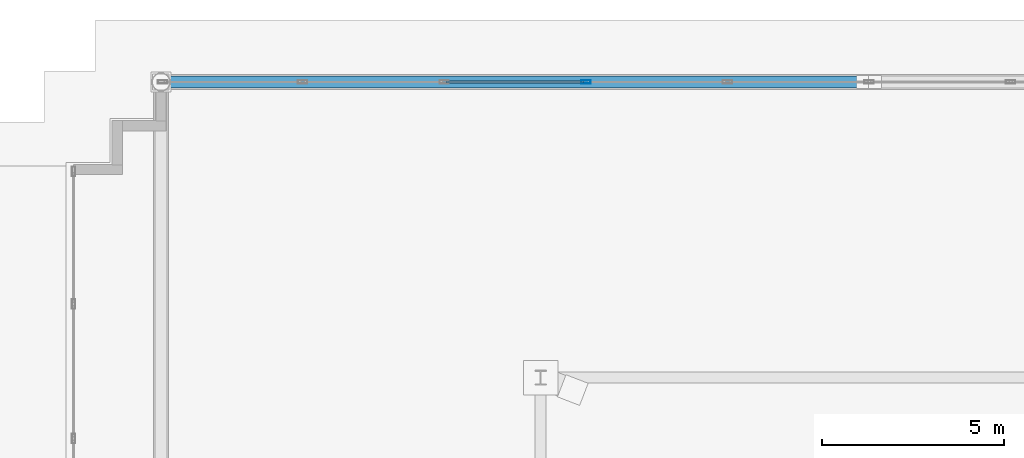
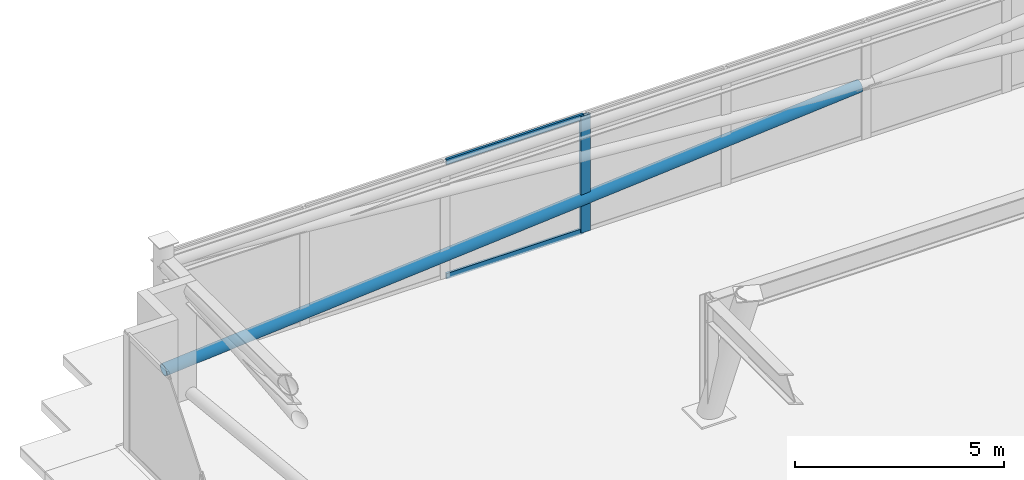
# One storey, part 10 of 23: 4 members, 1 element without a shape of its own.
"""IFC4 building model written with IfcOpenShell, lengths in metres."""

from ifc_helpers import new_model, si_unit, direction, frame, origin, origin_2d, place, context, subcontext, project, spatial, hollow_rectangle, hollow_circle, extrude, material, layer, layer_set, material_profile, profile_set, type_object, element, aggregate, save


model = new_model("IFC4")

# Units and contexts
model_context = context("Model", 3, precision=1e-05, world=origin(), true_north=direction((0.0, 1.0)))
body_context = subcontext(model_context, "Body", "Model", "MODEL_VIEW")
ifc_project = project(units=[si_unit("LENGTHUNIT", "METRE"), si_unit("AREAUNIT", "SQUARE_METRE"), si_unit("VOLUMEUNIT", "CUBIC_METRE"), si_unit("PLANEANGLEUNIT", "RADIAN"), si_unit("MASSUNIT", "GRAM", prefix="KILO")], contexts=[model_context])

# Site, building, storey
site_placement = place(None, origin())
site = spatial("IfcSite", under=ifc_project, at=site_placement, CompositionType="ELEMENT")
building_placement = place(site_placement, origin())
building = spatial("IfcBuilding", under=site, at=building_placement, Name="Qobustan Lattice House", CompositionType="ELEMENT")
storey_placement = place(building_placement, frame((0.0, 0.0, 270.199951171875)))
storey = spatial("IfcBuildingStorey", under=building, at=storey_placement, Name="L76", CompositionType="ELEMENT", Elevation=270.199951171875)

# Curtain wall, members
ifc_material_1 = material(Name="Anodised aluminium and low-E glazing", Category="aluminium")
ifc_layer = layer(ifc_material_1, 0.219970703125)
ifc_layer_set = layer_set([ifc_layer], Name="Anodised aluminium and low-E glazing")
curtain_wall_type = type_object("IfcCurtainWallType", Name="CW-CRN-01", PredefinedType="USERDEFINED", material=ifc_layer_set)
curtain_wall_placement = place(storey_placement, origin())
curtain_wall = element("IfcCurtainWall", 1, at=curtain_wall_placement, inside=storey, type_object=curtain_wall_type, Name="L76 glass-point crown faceted curtain wall 10", ObjectType="CURTAIN WALL", PredefinedType="USERDEFINED")
ifc_material_2 = material(Name="Anodised aluminium EN AW-6063 T6", Category="aluminium")
ifc_material_profile_1 = material_profile(ifc_material_2, hollow_rectangle(XDim=0.090087890625, YDim=0.260009765625, WallThickness=0.006103515625, at=origin_2d()), Name="CWM-CROWN-260x90")
ifc_profile_set_1 = profile_set([ifc_material_profile_1], Name="Anodised aluminium EN AW-6063 T6")
member_type_1 = type_object("IfcMemberType", Name="CWM-CRN-260", PredefinedType="MULLION", material=ifc_profile_set_1)
member_1_placement = place(storey_placement, frame((-7.9599609375, 13.699951171875, 0.0), z_axis=(0.0, 0.0, 1.0), x_axis=(0.0, 1.0, 0.0)))
member_1 = element("IfcMember", 2, at=member_1_placement, type_object=member_type_1, Name="CW-CR mullion 4", PredefinedType="MULLION", context=body_context, shape_type="SweptSolid", body=[
    extrude(hollow_rectangle(XDim=0.090087890625, YDim=0.260009765625, WallThickness=0.006103515625, at=origin_2d()), origin(), (0.0, 0.0, 1.0), 3.400146484375),
])
ifc_material_3 = material(Name="Anodised aluminium EN AW-6063 T6", Category="aluminium")
ifc_material_profile_2 = material_profile(ifc_material_3, hollow_rectangle(XDim=0.06494140625, YDim=0.159912109375, WallThickness=0.00390625, at=origin_2d()), Name="CWT-160x65")
ifc_profile_set_2 = profile_set([ifc_material_profile_2], Name="Anodised aluminium EN AW-6063 T6")
member_type_2 = type_object("IfcMemberType", Name="CWT-HOR-160", PredefinedType="USERDEFINED", material=ifc_profile_set_2)
member_2_placement = place(storey_placement, frame((-11.794921875, 13.699951171875, 0.032470703125), z_axis=(1.0, 0.0, 0.0), x_axis=(0.0, 1.0, 0.0)))
member_2 = element("IfcMember", 3, at=member_2_placement, type_object=member_type_2, Name="CW-CR transom 3.1", ObjectType="TRANSOM", PredefinedType="USERDEFINED", context=body_context, shape_type="SweptSolid", body=[
    extrude(hollow_rectangle(XDim=0.06494140625, YDim=0.159912109375, WallThickness=0.00390625, at=origin_2d()), origin(), (0.0, 0.0, 1.0), 3.7900390625),
])
member_3_placement = place(storey_placement, frame((-11.794921875, 13.699951171875, 3.367431640625), z_axis=(1.0, 0.0, 0.0), x_axis=(0.0, 1.0, 0.0)))
member_3 = element("IfcMember", 4, at=member_3_placement, type_object=member_type_2, Name="CW-CR transom 3.2", ObjectType="TRANSOM", PredefinedType="USERDEFINED", context=body_context, shape_type="SweptSolid", body=[
    extrude(hollow_rectangle(XDim=0.06494140625, YDim=0.159912109375, WallThickness=0.00390625, at=origin_2d()), origin(), (0.0, 0.0, 1.0), 3.7900390625),
])
aggregate(curtain_wall, [member_1, member_2, member_3])

# Member
ifc_material_4 = material(Name="Steel S355", Category="steel")
ifc_material_profile_3 = material_profile(ifc_material_4, hollow_circle(Radius=0.161865234375, WallThickness=0.012451171875, at=origin_2d()), Name="CHS323.9x12.5")
ifc_profile_set_3 = profile_set([ifc_material_profile_3], Name="Steel S355")
member_type_3 = type_object("IfcMemberType", Name="MEM-CBR-CHS324", PredefinedType="BRACE", material=ifc_profile_set_3)
member_4_placement = place(storey_placement, frame((-19.60009765625, 13.699951171875, 0.01513671875), z_axis=(0.996690538757, 0.0, 0.081289420916), x_axis=(0.0, 1.0, 0.0)))
element("IfcMember", 5, at=member_4_placement, inside=storey, type_object=member_type_3, Name="L76 crown diagrid split brace 3B lower", PredefinedType="BRACE", context=body_context, shape_type="SweptSolid", body=[
    extrude(hollow_circle(Radius=0.161865234375, WallThickness=0.012451171875, at=origin_2d()), origin(), (0.0, 0.0, 1.0), 19.296630859375),
])

save(model, "model.ifc")
